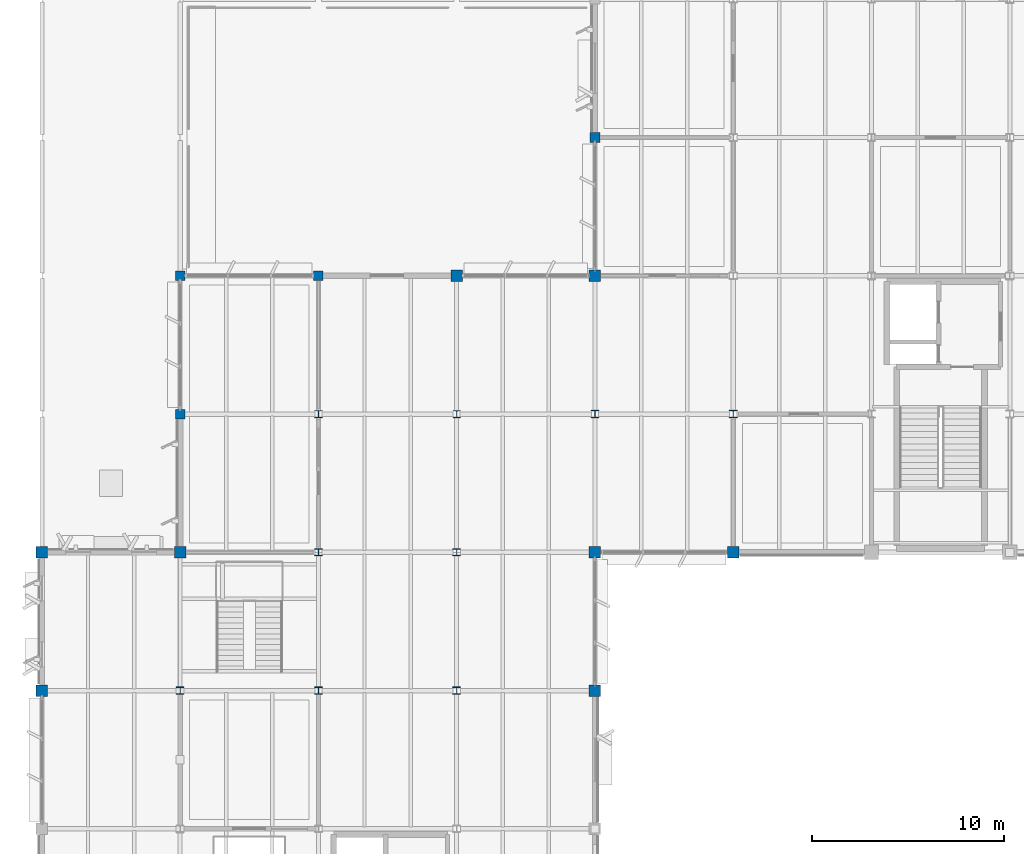
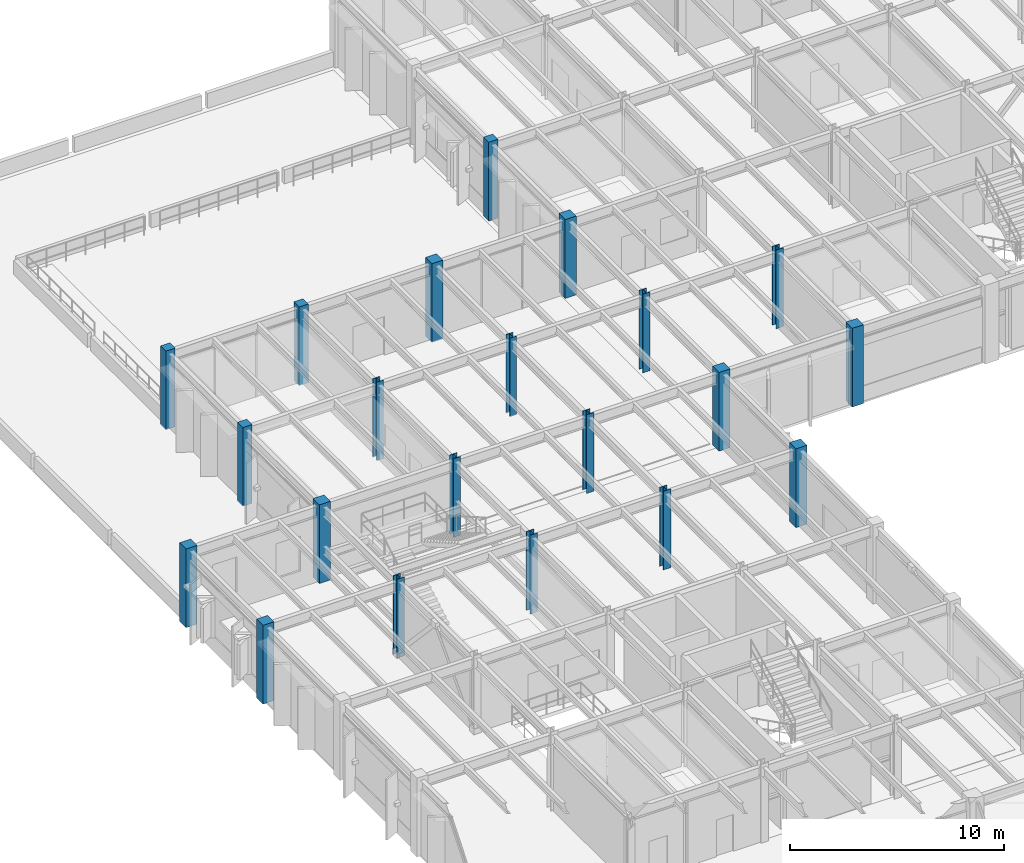
# One storey, part 9 of 92: 21 columns.
"""IFC4 building model written with IfcOpenShell, lengths in metres."""

from ifc_helpers import new_model, si_unit, direction, frame, origin, origin_2d, place, context, subcontext, project, spatial, rectangle, i_section, extrude, material, material_profile, profile_set, type_object, element, save


model = new_model("IFC4")

# Units and contexts
model_context = context("Model", 3, precision=1e-05, world=origin(), true_north=direction((0.0, 1.0)))
body_context = subcontext(model_context, "Body", "Model", "MODEL_VIEW")
ifc_project = project(units=[si_unit("LENGTHUNIT", "METRE"), si_unit("AREAUNIT", "SQUARE_METRE"), si_unit("VOLUMEUNIT", "CUBIC_METRE"), si_unit("PLANEANGLEUNIT", "RADIAN"), si_unit("MASSUNIT", "GRAM", prefix="KILO")], contexts=[model_context])

# Site, building, storey
site_placement = place(None, origin())
site = spatial("IfcSite", under=ifc_project, at=site_placement, CompositionType="ELEMENT")
building_placement = place(site_placement, origin())
building = spatial("IfcBuilding", under=site, at=building_placement, Name="Sillqori Civic Hall", CompositionType="ELEMENT")
storey_placement = place(building_placement, frame((0.0, 0.0, 5.39990234375)))
storey = spatial("IfcBuildingStorey", under=building, at=storey_placement, Name="L02", CompositionType="ELEMENT", Elevation=5.39990234375)

# Columns
ifc_material_1 = material(Name="Concrete C35/45 (H35)", Category="concrete")
ifc_material_profile_1 = material_profile(ifc_material_1, rectangle(XDim=0.5, YDim=0.5, at=origin_2d()), Name="RC 500x500")
ifc_profile_set_1 = profile_set([ifc_material_profile_1], Name="Concrete C35/45 (H35)")
column_type_1 = type_object("IfcColumnType", Name="COL-RC500", PredefinedType="COLUMN", material=ifc_profile_set_1)
for number, where, z_axis, x_axis, name in (
    (1, (14.39990234375, 86.39990234375, 0.0), (0.0, 0.0, 1.0), (1.0, 0.0, 0.0), "L02 column 2-12"),
    (2, (14.39990234375, 93.60009765625, 0.0), (0.0, 0.0, 1.0), (1.0, 0.0, 0.0), "L02 column 2-13"),
    (3, (21.60009765625, 93.60009765625, 0.0), (0.0, 0.0, 1.0), (1.0, 0.0, 0.0), "L02 column 3-13"),
    (4, (36.0, 100.800048828125, 0.0), (0.0, 0.0, 1.0), (1.0, 0.0, 0.0), "L02 column 5-14"),
):
    element("IfcColumn", number, at=place(storey_placement, frame(where, z_axis=z_axis, x_axis=x_axis)), inside=storey, type_object=column_type_1, Name=name, PredefinedType="COLUMN", context=body_context, shape_type="SweptSolid", body=[
        extrude(rectangle(XDim=0.5, YDim=0.5, at=origin_2d()), origin(), (0.0, 0.0, 1.0), 4.5),
    ])
ifc_material_profile_2 = material_profile(ifc_material_1, rectangle(XDim=0.60009765625, YDim=0.60009765625, at=origin_2d()), Name="RC 600x600")
ifc_profile_set_2 = profile_set([ifc_material_profile_2], Name="Concrete C35/45 (H35)")
column_type_2 = type_object("IfcColumnType", Name="COL-RC600", PredefinedType="COLUMN", material=ifc_profile_set_2)
for number, where, z_axis, x_axis, name in (
    (5, (7.199951171875, 72.0, 0.0), (0.0, 0.0, 1.0), (1.0, 0.0, 0.0), "L02 column 1-10"),
    (6, (7.199951171875, 79.199951171875, 0.0), (0.0, 0.0, 1.0), (1.0, 0.0, 0.0), "L02 column 1-11"),
    (7, (14.39990234375, 79.199951171875, 0.0), (0.0, 0.0, 1.0), (1.0, 0.0, 0.0), "L02 column 2-11"),
    (8, (28.800048828125, 93.60009765625, 0.0), (0.0, 0.0, 1.0), (1.0, 0.0, 0.0), "L02 column 4-13"),
    (9, (36.0, 72.0, 0.0), (0.0, 0.0, 1.0), (1.0, 0.0, 0.0), "L02 column 5-10"),
    (10, (36.0, 79.199951171875, 0.0), (0.0, 0.0, 1.0), (1.0, 0.0, 0.0), "L02 column 5-11"),
    (11, (36.0, 93.60009765625, 0.0), (0.0, 0.0, 1.0), (1.0, 0.0, 0.0), "L02 column 5-13"),
    (12, (43.199951171875, 79.199951171875, 0.0), (0.0, 0.0, 1.0), (1.0, 0.0, 0.0), "L02 column 6-11"),
):
    element("IfcColumn", number, at=place(storey_placement, frame(where, z_axis=z_axis, x_axis=x_axis)), inside=storey, type_object=column_type_2, Name=name, PredefinedType="COLUMN", context=body_context, shape_type="SweptSolid", body=[
        extrude(rectangle(XDim=0.60009765625, YDim=0.60009765625, at=origin_2d()), origin(), (0.0, 0.0, 1.0), 4.5),
    ])
ifc_material_2 = material(Name="Steel ASTM A992", Category="steel")
ifc_material_profile_3 = material_profile(ifc_material_2, i_section(OverallWidth=0.373046875, OverallDepth=0.367919921875, WebThickness=0.014892578125, FlangeThickness=0.02392578125, FilletRadius=0.014892578125, at=origin_2d()), Name="W14X120")
ifc_profile_set_3 = profile_set([ifc_material_profile_3], Name="Steel ASTM A992")
column_type_3 = type_object("IfcColumnType", Name="COL-W14X120", PredefinedType="COLUMN", material=ifc_profile_set_3)
column_1_placement = place(storey_placement, frame((28.800048828125, 86.39990234375, 0.0), z_axis=(0.0, 0.0, 1.0), x_axis=(1.0, 0.0, 0.0)))
element("IfcColumn", 13, at=column_1_placement, inside=storey, type_object=column_type_3, Name="L02 column 4-12", PredefinedType="COLUMN", context=body_context, shape_type="SweptSolid", body=[
    extrude(i_section(OverallWidth=0.373046875, OverallDepth=0.367919921875, WebThickness=0.014892578125, FlangeThickness=0.02392578125, FilletRadius=0.014892578125, at=origin_2d()), origin(), (0.0, 0.0, 1.0), 4.5),
])
ifc_material_profile_4 = material_profile(ifc_material_2, i_section(OverallWidth=0.39404296875, OverallDepth=0.3759765625, WebThickness=0.017333984375, FlangeThickness=0.027587890625, FilletRadius=0.014892578125, at=origin_2d()), Name="W14X145")
ifc_profile_set_4 = profile_set([ifc_material_profile_4], Name="Steel ASTM A992")
column_type_4 = type_object("IfcColumnType", Name="COL-W14X145", PredefinedType="COLUMN", material=ifc_profile_set_4)
for number, where, z_axis, x_axis, name in (
    (14, (14.39990234375, 72.0, 0.0), (0.0, 0.0, 1.0), (1.0, 0.0, 0.0), "L02 column 2-10"),
    (15, (21.60009765625, 72.0, 0.0), (0.0, 0.0, 1.0), (1.0, 0.0, 0.0), "L02 column 3-10"),
    (16, (21.60009765625, 79.199951171875, 0.0), (0.0, 0.0, 1.0), (1.0, 0.0, 0.0), "L02 column 3-11"),
    (17, (28.800048828125, 72.0, 0.0), (0.0, 0.0, 1.0), (1.0, 0.0, 0.0), "L02 column 4-10"),
    (18, (28.800048828125, 79.199951171875, 0.0), (0.0, 0.0, 1.0), (1.0, 0.0, 0.0), "L02 column 4-11"),
    (19, (36.0, 86.39990234375, 0.0), (0.0, 0.0, 1.0), (1.0, 0.0, 0.0), "L02 column 5-12"),
    (20, (43.199951171875, 86.39990234375, 0.0), (0.0, 0.0, 1.0), (1.0, 0.0, 0.0), "L02 column 6-12"),
):
    element("IfcColumn", number, at=place(storey_placement, frame(where, z_axis=z_axis, x_axis=x_axis)), inside=storey, type_object=column_type_4, Name=name, PredefinedType="COLUMN", context=body_context, shape_type="SweptSolid", body=[
        extrude(i_section(OverallWidth=0.39404296875, OverallDepth=0.3759765625, WebThickness=0.017333984375, FlangeThickness=0.027587890625, FilletRadius=0.014892578125, at=origin_2d()), origin(), (0.0, 0.0, 1.0), 4.5),
    ])
ifc_material_profile_5 = material_profile(ifc_material_2, i_section(OverallWidth=0.37109375, OverallDepth=0.361083984375, WebThickness=0.012451171875, FlangeThickness=0.019775390625, FilletRadius=0.014892578125, at=origin_2d()), Name="W14X99")
ifc_profile_set_5 = profile_set([ifc_material_profile_5], Name="Steel ASTM A992")
column_type_5 = type_object("IfcColumnType", Name="COL-W14X99", PredefinedType="COLUMN", material=ifc_profile_set_5)
column_2_placement = place(storey_placement, frame((21.60009765625, 86.39990234375, 0.0), z_axis=(0.0, 0.0, 1.0), x_axis=(1.0, 0.0, 0.0)))
element("IfcColumn", 21, at=column_2_placement, inside=storey, type_object=column_type_5, Name="L02 column 3-12", PredefinedType="COLUMN", context=body_context, shape_type="SweptSolid", body=[
    extrude(i_section(OverallWidth=0.37109375, OverallDepth=0.361083984375, WebThickness=0.012451171875, FlangeThickness=0.019775390625, FilletRadius=0.014892578125, at=origin_2d()), origin(), (0.0, 0.0, 1.0), 4.5),
])

save(model, "model.ifc")
